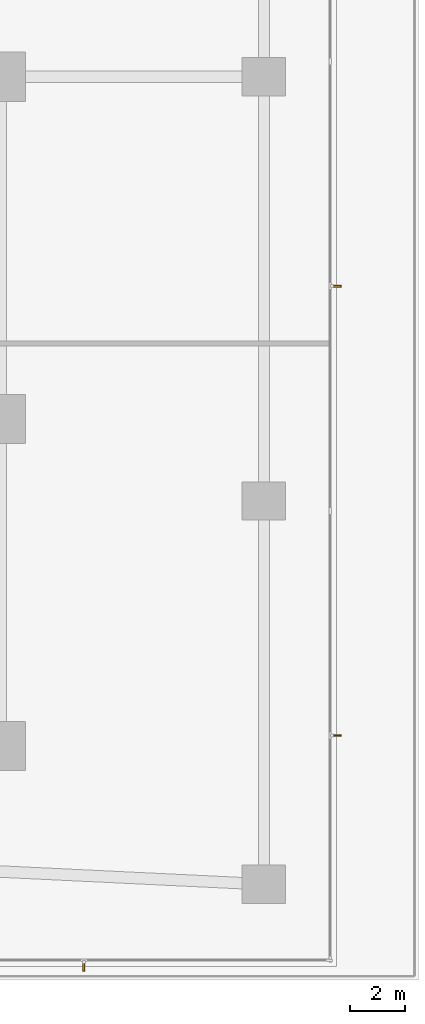
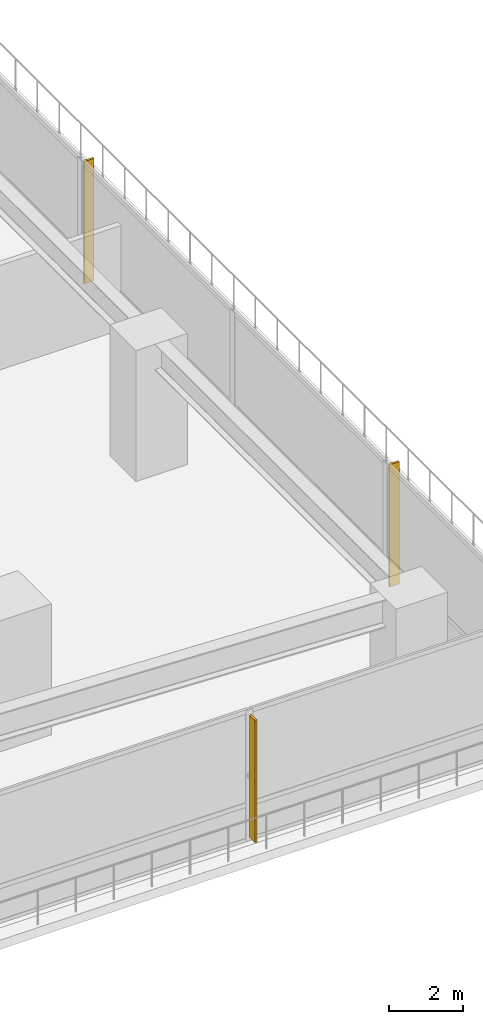
# One storey, part 26 of 28: 3 shading devices.
"""IFC4 building model written with IfcOpenShell, lengths in metres."""

from ifc_helpers import new_model, si_unit, direction, frame, origin, place, context, subcontext, project, spatial, polyline, outline, extrude, material, layer, layer_set, type_object, element, save


model = new_model("IFC4")

# Units and contexts
model_context = context("Model", 3, precision=1e-05, world=origin(), true_north=direction((0.0, 1.0)))
body_context = subcontext(model_context, "Body", "Model", "MODEL_VIEW")
ifc_project = project(units=[si_unit("LENGTHUNIT", "METRE"), si_unit("AREAUNIT", "SQUARE_METRE"), si_unit("VOLUMEUNIT", "CUBIC_METRE"), si_unit("PLANEANGLEUNIT", "RADIAN"), si_unit("MASSUNIT", "GRAM", prefix="KILO")], contexts=[model_context])

# Site, building, storey
site_placement = place(None, origin())
site = spatial("IfcSite", under=ifc_project, at=site_placement, CompositionType="ELEMENT")
building_placement = place(site_placement, origin())
building = spatial("IfcBuilding", under=site, at=building_placement, Name="Qalmaran Belvedere Hotel", CompositionType="ELEMENT")
storey_placement = place(building_placement, frame((0.0, 0.0, 10.0)))
storey = spatial("IfcBuildingStorey", under=building, at=storey_placement, Name="L02", CompositionType="ELEMENT", Elevation=10.0)

# Shading devices
ifc_material = material(Name="Anodised Bronze Aluminium", Category="aluminium")
ifc_layer = layer(ifc_material, 0.06494140625, Name="Anodised Bronze Aluminium")
ifc_layer_set = layer_set([ifc_layer], Name="Anodised Bronze Aluminium")
shading_device_type = type_object("IfcShadingDeviceType", Name="FIN-BRNZ-300", PredefinedType="USERDEFINED", material=ifc_layer_set)
shading_device_1_placement = place(storey_placement, frame((0.0, 0.0, 0.159912109375)))
element("IfcShadingDevice", 1, at=shading_device_1_placement, inside=storey, type_object=shading_device_type, Name="L02 Bronze Fin 7", ObjectType="FIN", PredefinedType="USERDEFINED", context=body_context, shape_type="SweptSolid", body=[
    extrude(outline(polyline([(63.739990234375, 0.62744140625), (63.739990234375, 0.327392578125), (63.804931640625, 0.327392578125), (63.804931640625, 0.62744140625), (63.739990234375, 0.62744140625)])), origin(), (0.0, 0.0, 1.0), 4.02001953125),
])
shading_device_2_placement = place(storey_placement, frame((0.0, 0.0, 0.159912109375)))
element("IfcShadingDevice", 2, at=shading_device_2_placement, inside=storey, type_object=shading_device_type, Name="L02 Bronze Fin 1", ObjectType="FIN", PredefinedType="USERDEFINED", context=body_context, shape_type="SweptSolid", body=[
    extrude(outline(polyline([(72.87255859375, 8.8974609375), (73.172607421875, 8.8974609375), (73.172607421875, 8.96240234375), (72.87255859375, 8.96240234375), (72.87255859375, 8.8974609375)])), origin(), (0.0, 0.0, 1.0), 4.02001953125),
])
shading_device_3_placement = place(storey_placement, frame((0.0, 0.0, 0.159912109375)))
element("IfcShadingDevice", 3, at=shading_device_3_placement, inside=storey, type_object=shading_device_type, Name="L02 Bronze Fin 3", ObjectType="FIN", PredefinedType="USERDEFINED", context=body_context, shape_type="SweptSolid", body=[
    extrude(outline(polyline([(72.87255859375, 25.3173828125), (73.172607421875, 25.3173828125), (73.172607421875, 25.382568359375), (72.87255859375, 25.382568359375), (72.87255859375, 25.3173828125)])), origin(), (0.0, 0.0, 1.0), 4.02001953125),
])

save(model, "model.ifc")
